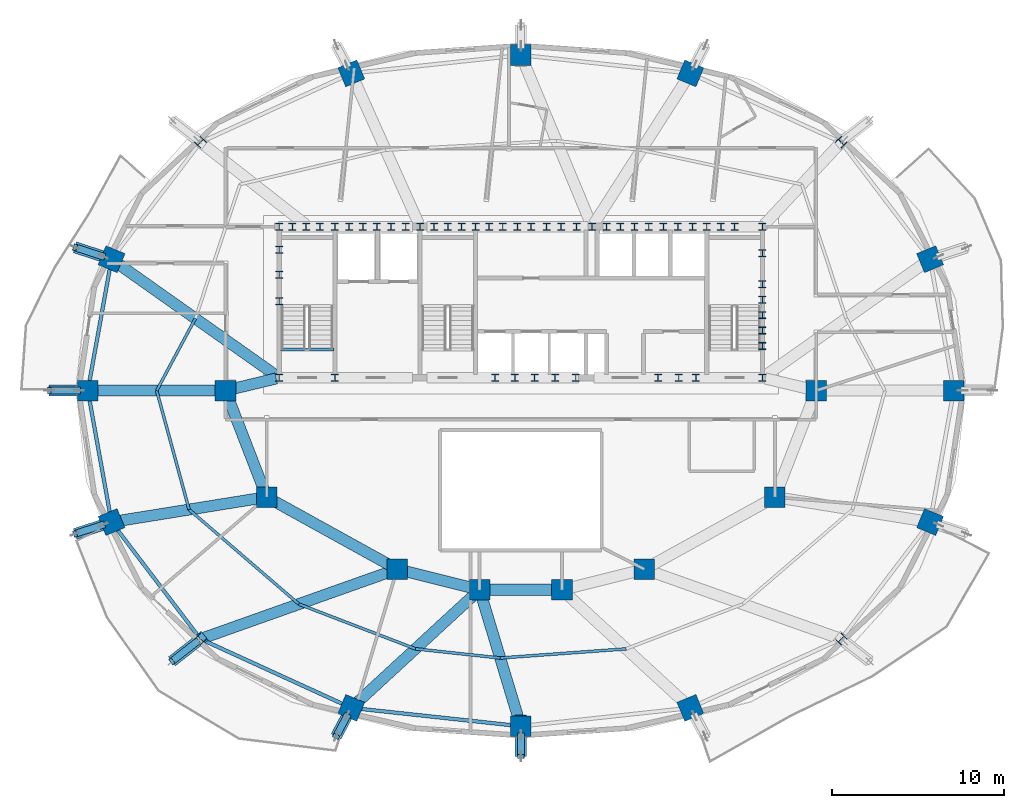
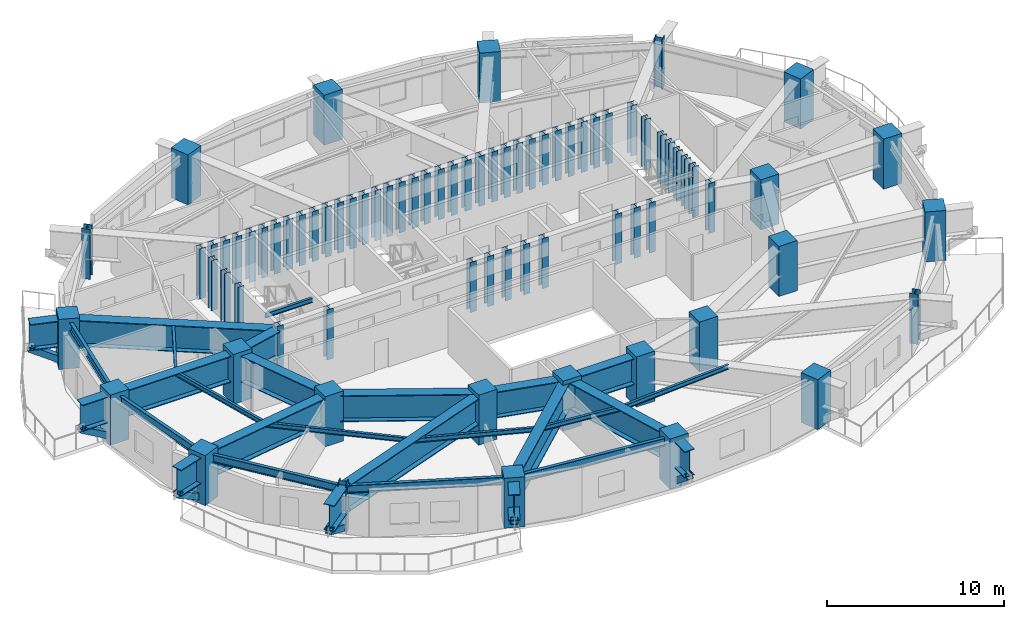
# One storey, part 1 of 14: 78 columns, 29 beams, 6 members.
"""IFC4 building model written with IfcOpenShell, lengths in metres."""

from ifc_helpers import new_model, si_unit, direction, frame, origin, origin_2d, place, context, subcontext, project, spatial, rectangle, hollow_rectangle, i_section, extrude, material, material_profile, profile_set, type_object, element, save


model = new_model("IFC4")

# Units and contexts
model_context = context("Model", 3, precision=1e-05, world=origin(), true_north=direction((0.0, 1.0)))
body_context = subcontext(model_context, "Body", "Model", "MODEL_VIEW")
ifc_project = project(units=[si_unit("LENGTHUNIT", "METRE"), si_unit("AREAUNIT", "SQUARE_METRE"), si_unit("VOLUMEUNIT", "CUBIC_METRE"), si_unit("PLANEANGLEUNIT", "RADIAN"), si_unit("MASSUNIT", "GRAM", prefix="KILO")], contexts=[model_context])

# Site, building, storey
site_placement = place(None, origin())
site = spatial("IfcSite", under=ifc_project, at=site_placement, CompositionType="ELEMENT")
building_placement = place(site_placement, origin())
building = spatial("IfcBuilding", under=site, at=building_placement, Name="Haldorwick Loom Tower", CompositionType="ELEMENT")
storey_placement = place(building_placement, frame((0.0, 0.0, 182.050048828125)))
storey = spatial("IfcBuildingStorey", under=building, at=storey_placement, Name="L49", CompositionType="ELEMENT", Elevation=182.050048828125)

# Columns
ifc_material_1 = material(Name="Concrete C60 (60 MPa)", Category="concrete")
ifc_material_profile_1 = material_profile(ifc_material_1, rectangle(XDim=1.199951171875, YDim=1.199951171875, at=origin_2d()), Name="RC1200X1200", Category="concrete")
ifc_profile_set_1 = profile_set([ifc_material_profile_1], Name="Concrete C60 (60 MPa)")
column_type_1 = type_object("IfcColumnType", Name="STR-COL-RC1200", PredefinedType="COLUMN", material=ifc_profile_set_1)
for number, where, z_axis, x_axis, name in (
    (1, (53.199951171875, 26.0, 0.0), (0.0, 0.0, 1.0), (1.0, 0.0, 0.0), "L49 Inner Column IC-01"),
    (2, (50.800048828125, 19.800048828125, 0.0), (0.0, 0.0, 1.0), (1.0, 0.0, 0.0), "L49 Inner Column IC-02"),
    (3, (43.199951171875, 15.60009765625, 0.0), (0.0, 0.0, 1.0), (1.0, 0.0, 0.0), "L49 Inner Column IC-03"),
    (4, (38.39990234375, 14.39990234375, 0.0), (0.0, 0.0, 1.0), (1.0, 0.0, 0.0), "L49 Inner Column IC-04"),
    (5, (33.60009765625, 14.39990234375, 0.0), (0.0, 0.0, 1.0), (1.0, 0.0, 0.0), "L49 Inner Column IC-05"),
    (6, (28.800048828125, 15.60009765625, 0.0), (0.0, 0.0, 1.0), (1.0, 0.0, 0.0), "L49 Inner Column IC-06"),
    (7, (21.199951171875, 19.800048828125, 0.0), (0.0, 0.0, 1.0), (1.0, 0.0, 0.0), "L49 Inner Column IC-07"),
    (8, (18.800048828125, 26.0, 0.0), (0.0, 0.0, 1.0), (1.0, 0.0, 0.0), "L49 Inner Column IC-08"),
    (9, (61.217041015625, 26.0, 0.0), (0.0, 0.0, 1.0), (1.0, 0.0, 0.0), "L49 Perimeter Pier Column P01"),
    (10, (59.836181640625, 33.65380859375, 0.0), (0.0, 0.0, 1.0), (0.923879532511, 0.382683432365, 0.0), "L49 Perimeter Pier Column P02"),
    (11, (45.873291015625, 44.4775390625, 0.0), (0.0, 0.0, 1.0), (0.382683432365, 0.923879532511, 0.0), "L49 Perimeter Pier Column P04"),
    (12, (36.0, 45.544677734375, 0.0), (0.0, 0.0, 1.0), (0.0, 1.0, 0.0), "L49 Perimeter Pier Column P05"),
    (13, (26.126708984375, 44.4775390625, 0.0), (0.0, 0.0, 1.0), (-0.382683432365, 0.923879532511, 0.0), "L49 Perimeter Pier Column P06"),
    (14, (12.163818359375, 33.65380859375, 0.0), (0.0, 0.0, 1.0), (-0.923879532511, 0.382683432365, 0.0), "L49 Perimeter Pier Column P08"),
    (15, (10.782958984375, 26.0, 0.0), (0.0, 0.0, 1.0), (-1.0, 0.0, 0.0), "L49 Perimeter Pier Column P09"),
    (16, (12.163818359375, 18.34619140625, 0.0), (0.0, 0.0, 1.0), (-0.923879532511, -0.382683432365, 0.0), "L49 Perimeter Pier Column P10"),
    (17, (26.126708984375, 7.5224609375, 0.0), (0.0, 0.0, 1.0), (-0.382683432365, -0.923879532511, 0.0), "L49 Perimeter Pier Column P12"),
    (18, (36.0, 6.455322265625, 0.0), (0.0, 0.0, 1.0), (0.0, -1.0, 0.0), "L49 Perimeter Pier Column P13"),
    (19, (45.873291015625, 7.5224609375, 0.0), (0.0, 0.0, 1.0), (0.382683432365, -0.923879532511, 0.0), "L49 Perimeter Pier Column P14"),
    (20, (59.836181640625, 18.34619140625, 0.0), (0.0, 0.0, 1.0), (0.923879532511, -0.382683432365, 0.0), "L49 Perimeter Pier Column P16"),
):
    element("IfcColumn", number, at=place(storey_placement, frame(where, z_axis=z_axis, x_axis=x_axis)), inside=storey, type_object=column_type_1, Name=name, PredefinedType="COLUMN", context=body_context, shape_type="SweptSolid", body=[
        extrude(rectangle(XDim=1.199951171875, YDim=1.199951171875, at=origin_2d()), origin(), (0.0, 0.0, 1.0), 3.449951171875),
    ])
ifc_material_2 = material(Name="Steel CSA G40.21 350W", Category="steel")
ifc_material_profile_2 = material_profile(ifc_material_2, i_section(OverallWidth=0.406005859375, OverallDepth=0.416015625, WebThickness=0.024169921875, FlangeThickness=0.03857421875, at=origin_2d()), Name="W360X382", Category="steel")
ifc_profile_set_2 = profile_set([ifc_material_profile_2], Name="Steel CSA G40.21 350W")
column_type_2 = type_object("IfcColumnType", Name="STR-COL-W360X382", PredefinedType="COLUMN", material=ifc_profile_set_2)
for number, where, z_axis, x_axis, name in (
    (21, (21.929931640625, 35.550048828125, 0.0), (0.0, 0.0, 1.0), (1.0, 0.0, 0.0), "L49 Core Pilaster CB-01"),
    (22, (23.5, 35.550048828125, 0.0), (0.0, 0.0, 1.0), (1.0, 0.0, 0.0), "L49 Core Pilaster CB-02"),
    (23, (25.169921875, 35.550048828125, 0.0), (0.0, 0.0, 1.0), (1.0, 0.0, 0.0), "L49 Core Pilaster CB-03"),
    (24, (26.800048828125, 35.550048828125, 0.0), (0.0, 0.0, 1.0), (1.0, 0.0, 0.0), "L49 Core Pilaster CB-04"),
    (25, (28.449951171875, 35.550048828125, 0.0), (0.0, 0.0, 1.0), (1.0, 0.0, 0.0), "L49 Core Pilaster CB-05"),
    (26, (30.1298828125, 35.550048828125, 0.0), (0.0, 0.0, 1.0), (1.0, 0.0, 0.0), "L49 Core Pilaster CB-06"),
    (27, (31.75, 35.550048828125, 0.0), (0.0, 0.0, 1.0), (1.0, 0.0, 0.0), "L49 Core Pilaster CB-07"),
    (28, (33.3701171875, 35.550048828125, 0.0), (0.0, 0.0, 1.0), (1.0, 0.0, 0.0), "L49 Core Pilaster CB-08"),
    (29, (34.949951171875, 35.550048828125, 0.0), (0.0, 0.0, 1.0), (1.0, 0.0, 0.0), "L49 Core Pilaster CB-09"),
    (30, (36.60009765625, 35.550048828125, 0.0), (0.0, 0.0, 1.0), (1.0, 0.0, 0.0), "L49 Core Pilaster CB-10"),
    (31, (38.35009765625, 35.550048828125, 0.0), (0.0, 0.0, 1.0), (1.0, 0.0, 0.0), "L49 Core Pilaster CB-11"),
    (32, (40.14990234375, 35.550048828125, 0.0), (0.0, 0.0, 1.0), (1.0, 0.0, 0.0), "L49 Core Pilaster CB-12"),
    (33, (41.800048828125, 35.550048828125, 0.0), (0.0, 0.0, 1.0), (1.0, 0.0, 0.0), "L49 Core Pilaster CB-13"),
    (34, (43.449951171875, 35.550048828125, 0.0), (0.0, 0.0, 1.0), (1.0, 0.0, 0.0), "L49 Core Pilaster CB-14"),
    (35, (45.14990234375, 35.550048828125, 0.0), (0.0, 0.0, 1.0), (1.0, 0.0, 0.0), "L49 Core Pilaster CB-15"),
    (36, (46.830078125, 35.550048828125, 0.0), (0.0, 0.0, 1.0), (1.0, 0.0, 0.0), "L49 Core Pilaster CB-16"),
    (37, (48.449951171875, 35.550048828125, 0.0), (0.0, 0.0, 1.0), (1.0, 0.0, 0.0), "L49 Core Pilaster CB-17"),
    (38, (50.070068359375, 35.550048828125, 0.0), (0.0, 0.0, 1.0), (1.0, 0.0, 0.0), "L49 Core Pilaster CB-18"),
    (39, (21.929931640625, 26.75, 0.0), (0.0, 0.0, 1.0), (1.0, 0.0, 0.0), "L49 Core Pilaster CB-19"),
    (40, (25.169921875, 26.75, 0.0), (0.0, 0.0, 1.0), (1.0, 0.0, 0.0), "L49 Core Pilaster CB-20"),
    (41, (34.5, 26.75, 0.0), (0.0, 0.0, 1.0), (1.0, 0.0, 0.0), "L49 Core Pilaster CB-21"),
    (42, (36.800048828125, 26.75, 0.0), (0.0, 0.0, 1.0), (1.0, 0.0, 0.0), "L49 Core Pilaster CB-22"),
    (43, (39.199951171875, 26.75, 0.0), (0.0, 0.0, 1.0), (1.0, 0.0, 0.0), "L49 Core Pilaster CB-23"),
    (44, (45.199951171875, 26.75, 0.0), (0.0, 0.0, 1.0), (1.0, 0.0, 0.0), "L49 Core Pilaster CB-24"),
    (45, (50.070068359375, 26.75, 0.0), (0.0, 0.0, 1.0), (1.0, 0.0, 0.0), "L49 Core Pilaster CB-25"),
    (46, (21.929931640625, 31.199951171875, 0.0), (0.0, 0.0, 1.0), (1.0, 0.0, 0.0), "L49 Core Pilaster CB-26"),
    (47, (21.929931640625, 32.75, 0.0), (0.0, 0.0, 1.0), (1.0, 0.0, 0.0), "L49 Core Pilaster CB-27"),
    (48, (21.929931640625, 34.199951171875, 0.0), (0.0, 0.0, 1.0), (1.0, 0.0, 0.0), "L49 Core Pilaster CB-28"),
    (49, (50.070068359375, 28.60009765625, 0.0), (0.0, 0.0, 1.0), (1.0, 0.0, 0.0), "L49 Core Pilaster CB-29"),
    (50, (50.070068359375, 30.39990234375, 0.0), (0.0, 0.0, 1.0), (1.0, 0.0, 0.0), "L49 Core Pilaster CB-30"),
    (51, (50.070068359375, 32.199951171875, 0.0), (0.0, 0.0, 1.0), (1.0, 0.0, 0.0), "L49 Core Pilaster CB-31"),
    (52, (50.070068359375, 34.0, 0.0), (0.0, 0.0, 1.0), (1.0, 0.0, 0.0), "L49 Core Pilaster CB-32"),
    (53, (22.699951171875, 35.550048828125, 0.0), (0.0, 0.0, 1.0), (1.0, 0.0, 0.0), "L49 Core Pilaster CB-33"),
    (54, (27.6201171875, 35.550048828125, 0.0), (0.0, 0.0, 1.0), (1.0, 0.0, 0.0), "L49 Core Pilaster CB-34"),
    (55, (32.550048828125, 35.550048828125, 0.0), (0.0, 0.0, 1.0), (1.0, 0.0, 0.0), "L49 Core Pilaster CB-35"),
    (56, (37.5, 35.550048828125, 0.0), (0.0, 0.0, 1.0), (1.0, 0.0, 0.0), "L49 Core Pilaster CB-36"),
    (57, (42.6201171875, 35.550048828125, 0.0), (0.0, 0.0, 1.0), (1.0, 0.0, 0.0), "L49 Core Pilaster CB-37"),
    (58, (47.64990234375, 35.550048828125, 0.0), (0.0, 0.0, 1.0), (1.0, 0.0, 0.0), "L49 Core Pilaster CB-38"),
    (59, (24.300048828125, 35.550048828125, 0.0), (0.0, 0.0, 1.0), (1.0, 0.0, 0.0), "L49 Core Pilaster CB-39"),
    (60, (26.0, 35.550048828125, 0.0), (0.0, 0.0, 1.0), (1.0, 0.0, 0.0), "L49 Core Pilaster CB-40"),
    (61, (29.300048828125, 35.550048828125, 0.0), (0.0, 0.0, 1.0), (1.0, 0.0, 0.0), "L49 Core Pilaster CB-41"),
    (62, (30.949951171875, 35.550048828125, 0.0), (0.0, 0.0, 1.0), (1.0, 0.0, 0.0), "L49 Core Pilaster CB-42"),
    (63, (34.14990234375, 35.550048828125, 0.0), (0.0, 0.0, 1.0), (1.0, 0.0, 0.0), "L49 Core Pilaster CB-43"),
    (64, (35.800048828125, 35.550048828125, 0.0), (0.0, 0.0, 1.0), (1.0, 0.0, 0.0), "L49 Core Pilaster CB-44"),
    (65, (39.25, 35.550048828125, 0.0), (0.0, 0.0, 1.0), (1.0, 0.0, 0.0), "L49 Core Pilaster CB-45"),
    (66, (41.0, 35.550048828125, 0.0), (0.0, 0.0, 1.0), (1.0, 0.0, 0.0), "L49 Core Pilaster CB-46"),
    (67, (44.300048828125, 35.550048828125, 0.0), (0.0, 0.0, 1.0), (1.0, 0.0, 0.0), "L49 Core Pilaster CB-47"),
    (68, (46.0, 35.550048828125, 0.0), (0.0, 0.0, 1.0), (1.0, 0.0, 0.0), "L49 Core Pilaster CB-48"),
    (69, (50.070068359375, 29.5, 0.0), (0.0, 0.0, 1.0), (1.0, 0.0, 0.0), "L49 Core Pilaster CB-49"),
    (70, (50.070068359375, 31.300048828125, 0.0), (0.0, 0.0, 1.0), (1.0, 0.0, 0.0), "L49 Core Pilaster CB-50"),
    (71, (35.64990234375, 26.75, 0.0), (0.0, 0.0, 1.0), (1.0, 0.0, 0.0), "L49 Core Pilaster CB-51"),
    (72, (38.0, 26.75, 0.0), (0.0, 0.0, 1.0), (1.0, 0.0, 0.0), "L49 Core Pilaster CB-52"),
    (73, (44.0, 26.75, 0.0), (0.0, 0.0, 1.0), (1.0, 0.0, 0.0), "L49 Core Pilaster CB-53"),
    (74, (46.199951171875, 26.75, 0.0), (0.0, 0.0, 1.0), (1.0, 0.0, 0.0), "L49 Core Pilaster CB-54"),
):
    element("IfcColumn", number, at=place(storey_placement, frame(where, z_axis=z_axis, x_axis=x_axis)), inside=storey, type_object=column_type_2, Name=name, PredefinedType="COLUMN", context=body_context, shape_type="SweptSolid", body=[
        extrude(i_section(OverallWidth=0.406005859375, OverallDepth=0.416015625, WebThickness=0.024169921875, FlangeThickness=0.03857421875, at=origin_2d()), origin(), (0.0, 0.0, 1.0), 3.449951171875),
    ])
ifc_material_3 = material(Name="Steel CSA G40.21 350WT", Category="steel")
ifc_material_profile_3 = material_profile(ifc_material_3, i_section(OverallWidth=0.5, OverallDepth=0.5, WebThickness=0.02197265625, FlangeThickness=0.031982421875, at=origin_2d()), Name="WWF500X500", Category="steel")
ifc_profile_set_3 = profile_set([ifc_material_profile_3], Name="Steel CSA G40.21 350WT")
column_type_3 = type_object("IfcColumnType", Name="STR-COL-WWF500", PredefinedType="COLUMN", material=ifc_profile_set_3)
for number, where, z_axis, x_axis, name in (
    (75, (54.655517578125, 40.464111328125, 0.0), (0.0, 0.0, 1.0), (0.707106781187, 0.707106781187, 0.0), "L49 Perimeter Pier Column P03"),
    (76, (17.344482421875, 40.464111328125, 0.0), (0.0, 0.0, 1.0), (-0.707106781187, 0.707106781187, 0.0), "L49 Perimeter Pier Column P07"),
    (77, (17.344482421875, 11.535888671875, 0.0), (0.0, 0.0, 1.0), (-0.707106781187, -0.707106781187, 0.0), "L49 Perimeter Pier Column P11"),
    (78, (54.655517578125, 11.535888671875, 0.0), (0.0, 0.0, 1.0), (0.707106781187, -0.707106781187, 0.0), "L49 Perimeter Pier Column P15"),
):
    element("IfcColumn", number, at=place(storey_placement, frame(where, z_axis=z_axis, x_axis=x_axis)), inside=storey, type_object=column_type_3, Name=name, PredefinedType="COLUMN", context=body_context, shape_type="SweptSolid", body=[
        extrude(i_section(OverallWidth=0.5, OverallDepth=0.5, WebThickness=0.02197265625, FlangeThickness=0.031982421875, at=origin_2d()), origin(), (0.0, 0.0, 1.0), 3.449951171875),
    ])

# Beams
ifc_material_profile_4 = material_profile(ifc_material_2, i_section(OverallWidth=0.166015625, OverallDepth=0.31298828125, WebThickness=0.006591796875, FlangeThickness=0.01123046875, at=origin_2d()), Name="W310X45", Category="steel")
ifc_profile_set_4 = profile_set([ifc_material_profile_4], Name="Steel CSA G40.21 350W")
beam_type_1 = type_object("IfcBeamType", Name="STR-BM-J310", PredefinedType="JOIST", material=ifc_profile_set_4)
beam_1_placement = place(storey_placement, frame((17.046875, 30.201904296875, 3.013427734375), z_axis=(-0.472930162238, -0.881099915813, 0.0), x_axis=(0.881099915813, -0.472930162238, 0.0)))
element("IfcBeam", 79, at=beam_1_placement, inside=storey, type_object=beam_type_1, Name="L49 Mid-Bay Secondary Joist 8", PredefinedType="JOIST", context=body_context, shape_type="SweptSolid", body=[
    extrude(i_section(OverallWidth=0.166015625, OverallDepth=0.31298828125, WebThickness=0.006591796875, FlangeThickness=0.01123046875, at=origin_2d()), origin(), (0.0, 0.0, 1.0), 4.76904296875),
])
beam_2_placement = place(storey_placement, frame((14.79150390625, 26.0, 3.013427734375), z_axis=(0.263272762578, -0.964721437766, 0.0), x_axis=(0.964721437766, 0.263272762578, 0.0)))
element("IfcBeam", 80, at=beam_2_placement, inside=storey, type_object=beam_type_1, Name="L49 Mid-Bay Secondary Joist 9", PredefinedType="JOIST", context=body_context, shape_type="SweptSolid", body=[
    extrude(i_section(OverallWidth=0.166015625, OverallDepth=0.31298828125, WebThickness=0.006591796875, FlangeThickness=0.01123046875, at=origin_2d()), origin(), (0.0, 0.0, 1.0), 7.180419921875),
])
beam_3_placement = place(storey_placement, frame((16.681884765625, 19.072998046875, 3.013427734375), z_axis=(0.75763401328, -0.652679631918, 0.0), x_axis=(0.652679631918, 0.75763401328, 0.0)))
element("IfcBeam", 81, at=beam_3_placement, inside=storey, type_object=beam_type_1, Name="L49 Mid-Bay Secondary Joist 10", PredefinedType="JOIST", context=body_context, shape_type="SweptSolid", body=[
    extrude(i_section(OverallWidth=0.166015625, OverallDepth=0.31298828125, WebThickness=0.006591796875, FlangeThickness=0.01123046875, at=origin_2d()), origin(), (0.0, 0.0, 1.0), 8.4345703125),
])
beam_4_placement = place(storey_placement, frame((23.072265625, 13.56787109375, 3.013427734375), z_axis=(0.933586737031, -0.358351509609, 0.0), x_axis=(0.358351509609, 0.933586737031, 0.0)))
element("IfcBeam", 82, at=beam_4_placement, inside=storey, type_object=beam_type_1, Name="L49 Mid-Bay Secondary Joist 11", PredefinedType="JOIST", context=body_context, shape_type="SweptSolid", body=[
    extrude(i_section(OverallWidth=0.166015625, OverallDepth=0.31298828125, WebThickness=0.006591796875, FlangeThickness=0.01123046875, at=origin_2d()), origin(), (0.0, 0.0, 1.0), 7.274169921875),
])
beam_5_placement = place(storey_placement, frame((29.86328125, 10.961181640625, 3.013427734375), z_axis=(0.994212584227, -0.107430616514, 0.0), x_axis=(0.107430616514, 0.994212584227, 0.0)))
element("IfcBeam", 83, at=beam_5_placement, inside=storey, type_object=beam_type_1, Name="L49 Mid-Bay Secondary Joist 12", PredefinedType="JOIST", context=body_context, shape_type="SweptSolid", body=[
    extrude(i_section(OverallWidth=0.166015625, OverallDepth=0.31298828125, WebThickness=0.006591796875, FlangeThickness=0.01123046875, at=origin_2d()), origin(), (0.0, 0.0, 1.0), 4.965576171875),
])
beam_6_placement = place(storey_placement, frame((34.800048828125, 10.427734375, 3.013427734375), z_axis=(0.997367082818, 0.072518288109, 0.0), x_axis=(-0.072518288109, 0.997367082818, 0.0)))
element("IfcBeam", 84, at=beam_6_placement, inside=storey, type_object=beam_type_1, Name="L49 Mid-Bay Secondary Joist 13", PredefinedType="JOIST", context=body_context, shape_type="SweptSolid", body=[
    extrude(i_section(OverallWidth=0.166015625, OverallDepth=0.31298828125, WebThickness=0.006591796875, FlangeThickness=0.01123046875, at=origin_2d()), origin(), (0.0, 0.0, 1.0), 7.35595703125),
])
ifc_material_profile_5 = material_profile(ifc_material_2, i_section(OverallWidth=0.2119140625, OverallDepth=0.5439453125, WebThickness=0.01318359375, FlangeThickness=0.021240234375, at=origin_2d()), Name="W530X123", Category="steel")
ifc_profile_set_5 = profile_set([ifc_material_profile_5], Name="Steel CSA G40.21 350W")
beam_type_2 = type_object("IfcBeamType", Name="STR-BM-SP530", PredefinedType="SPANDREL", material=ifc_profile_set_5)
for number, where, z_axis, x_axis, name in (
    (85, (12.071533203125, 33.14208984375, 2.89794921875), (-0.177558730702, -0.984110205796, 0.0), (0.984110205796, -0.177558730702, 0.0), "L49 Perimeter Spandrel 8"),
    (86, (10.875244140625, 25.48828125, 2.89794921875), (0.177558730702, -0.984110205796, 0.0), (0.984110205796, 0.177558730702, 0.0), "L49 Perimeter Spandrel 9"),
):
    element("IfcBeam", number, at=place(storey_placement, frame(where, z_axis=z_axis, x_axis=x_axis)), inside=storey, type_object=beam_type_2, Name=name, PredefinedType="SPANDREL", context=body_context, shape_type="SweptSolid", body=[
        extrude(i_section(OverallWidth=0.2119140625, OverallDepth=0.5439453125, WebThickness=0.01318359375, FlangeThickness=0.021240234375, at=origin_2d()), origin(), (0.0, 0.0, 1.0), 6.737548828125),
    ])
beam_7_placement = place(storey_placement, frame((12.478759765625, 17.932373046875, 2.89794921875), z_axis=(0.605421569293, -0.79590497136, 0.0), x_axis=(0.79590497136, 0.605421569293, 0.0)))
element("IfcBeam", 87, at=beam_7_placement, inside=storey, type_object=beam_type_2, Name="L49 Perimeter Spandrel 10", PredefinedType="SPANDREL", context=body_context, shape_type="SweptSolid", body=[
    extrude(i_section(OverallWidth=0.2119140625, OverallDepth=0.5439453125, WebThickness=0.01318359375, FlangeThickness=0.021240234375, at=origin_2d()), origin(), (0.0, 0.0, 1.0), 7.81201171875),
])
beam_8_placement = place(storey_placement, frame((17.549072265625, 11.4423828125, 2.89794921875), z_axis=(0.909523899848, -0.415651627695, 0.0), x_axis=(0.415651627695, 0.909523899848, 0.0)))
element("IfcBeam", 88, at=beam_8_placement, inside=storey, type_object=beam_type_2, Name="L49 Perimeter Spandrel 11", PredefinedType="SPANDREL", context=body_context, shape_type="SweptSolid", body=[
    extrude(i_section(OverallWidth=0.2119140625, OverallDepth=0.5439453125, WebThickness=0.01318359375, FlangeThickness=0.021240234375, at=origin_2d()), origin(), (0.0, 0.0, 1.0), 8.910888671875),
])
beam_9_placement = place(storey_placement, frame((26.643798828125, 7.466552734375, 2.89794921875), z_axis=(0.994210140187, -0.107453232386, 0.0), x_axis=(0.107453232386, 0.994210140187, 0.0)))
element("IfcBeam", 89, at=beam_9_placement, inside=storey, type_object=beam_type_2, Name="L49 Perimeter Spandrel 12", PredefinedType="SPANDREL", context=body_context, shape_type="SweptSolid", body=[
    extrude(i_section(OverallWidth=0.2119140625, OverallDepth=0.5439453125, WebThickness=0.01318359375, FlangeThickness=0.021240234375, at=origin_2d()), origin(), (0.0, 0.0, 1.0), 8.890625),
])
ifc_material_profile_6 = material_profile(ifc_material_2, i_section(OverallWidth=0.166015625, OverallDepth=0.31298828125, WebThickness=0.006591796875, FlangeThickness=0.01123046875, at=origin_2d()), Name="W310X45", Category="steel")
ifc_profile_set_6 = profile_set([ifc_material_profile_6], Name="Steel CSA G40.21 350W")
beam_type_3 = type_object("IfcBeamType", Name="STR-BM-STRM", PredefinedType="BEAM", material=ifc_profile_set_6)
beam_10_placement = place(storey_placement, frame((21.989990234375, 28.39990234375, 3.013427734375), z_axis=(1.0, 0.0, 0.0), x_axis=(0.0, 1.0, 0.0)))
element("IfcBeam", 90, at=beam_10_placement, inside=storey, type_object=beam_type_3, Name="L49 Stair ST-01 Landing Edge Trimmer", PredefinedType="BEAM", context=body_context, shape_type="SweptSolid", body=[
    extrude(i_section(OverallWidth=0.166015625, OverallDepth=0.31298828125, WebThickness=0.006591796875, FlangeThickness=0.01123046875, at=origin_2d()), origin(), (0.0, 0.0, 1.0), 3.1201171875),
])
ifc_material_profile_7 = material_profile(ifc_material_3, i_section(OverallWidth=0.64990234375, OverallDepth=1.800048828125, WebThickness=0.02587890625, FlangeThickness=0.048095703125, at=origin_2d()), Name="WWF1800X650", Category="steel")
ifc_profile_set_7 = profile_set([ifc_material_profile_7], Name="Steel CSA G40.21 350WT")
beam_type_4 = type_object("IfcBeamType", Name="STR-BM-TG1800", PredefinedType="BEAM", material=ifc_profile_set_7)
beam_11_placement = place(storey_placement, frame((37.8798828125, 14.39990234375, 2.27001953125), z_axis=(-1.0, 0.0, 0.0), x_axis=(0.0, -1.0, 0.0)))
element("IfcBeam", 91, at=beam_11_placement, inside=storey, type_object=beam_type_4, Name="L49 Inner Ring Girder 5", PredefinedType="BEAM", context=body_context, shape_type="SweptSolid", body=[
    extrude(i_section(OverallWidth=0.64990234375, OverallDepth=1.800048828125, WebThickness=0.02587890625, FlangeThickness=0.048095703125, at=origin_2d()), origin(), (0.0, 0.0, 1.0), 3.759765625),
])
beam_12_placement = place(storey_placement, frame((33.095458984375, 14.526123046875, 2.27001953125), z_axis=(-0.970142500145, 0.242535625036, 0.0), x_axis=(-0.242535625036, -0.970142500145, 0.0)))
element("IfcBeam", 92, at=beam_12_placement, inside=storey, type_object=beam_type_4, Name="L49 Inner Ring Girder 6", PredefinedType="BEAM", context=body_context, shape_type="SweptSolid", body=[
    extrude(i_section(OverallWidth=0.64990234375, OverallDepth=1.800048828125, WebThickness=0.02587890625, FlangeThickness=0.048095703125, at=origin_2d()), origin(), (0.0, 0.0, 1.0), 3.90771484375),
])
beam_13_placement = place(storey_placement, frame((28.344970703125, 15.8515625, 2.27001953125), z_axis=(-0.875244382146, 0.483680960471, 0.0), x_axis=(-0.483680960471, -0.875244382146, 0.0)))
element("IfcBeam", 93, at=beam_13_placement, inside=storey, type_object=beam_type_4, Name="L49 Inner Ring Girder 7", PredefinedType="BEAM", context=body_context, shape_type="SweptSolid", body=[
    extrude(i_section(OverallWidth=0.64990234375, OverallDepth=1.800048828125, WebThickness=0.02587890625, FlangeThickness=0.048095703125, at=origin_2d()), origin(), (0.0, 0.0, 1.0), 7.6435546875),
])
beam_14_placement = place(storey_placement, frame((21.01220703125, 20.284912109375, 2.27001953125), z_axis=(-0.360964792353, 0.93257944363, 0.0), x_axis=(-0.93257944363, -0.360964792353, 0.0)))
element("IfcBeam", 94, at=beam_14_placement, inside=storey, type_object=beam_type_4, Name="L49 Inner Ring Girder 8", PredefinedType="BEAM", context=body_context, shape_type="SweptSolid", body=[
    extrude(i_section(OverallWidth=0.64990234375, OverallDepth=1.800048828125, WebThickness=0.02587890625, FlangeThickness=0.048095703125, at=origin_2d()), origin(), (0.0, 0.0, 1.0), 5.6083984375),
])
beam_15_placement = place(storey_placement, frame((19.3056640625, 26.12109375, 2.27001953125), z_axis=(0.97246637463, 0.233043236789, 0.0), x_axis=(-0.233043236789, 0.97246637463, 0.0)))
element("IfcBeam", 95, at=beam_15_placement, inside=storey, type_object=beam_type_4, Name="L49 Inner Ring Girder 9", PredefinedType="BEAM", context=body_context, shape_type="SweptSolid", body=[
    extrude(i_section(OverallWidth=0.64990234375, OverallDepth=1.800048828125, WebThickness=0.02587890625, FlangeThickness=0.048095703125, at=origin_2d()), origin(), (0.0, 0.0, 1.0), 2.5205078125),
])
beam_16_placement = place(storey_placement, frame((21.78466796875, 26.852783203125, 2.27001953125), z_axis=(-0.81657429865, 0.577240344038, 0.0), x_axis=(-0.577240344038, -0.81657429865, 0.0)))
element("IfcBeam", 96, at=beam_16_placement, inside=storey, type_object=beam_type_4, Name="L49 Waist Flare Inner Transfer Girder 8", PredefinedType="BEAM", context=body_context, shape_type="SweptSolid", body=[
    extrude(i_section(OverallWidth=0.64990234375, OverallDepth=1.800048828125, WebThickness=0.02587890625, FlangeThickness=0.048095703125, at=origin_2d()), origin(), (0.0, 0.0, 1.0), 11.781982421875),
])
beam_17_placement = place(storey_placement, frame((12.341064453125, 33.59619140625, 2.27001953125), z_axis=(-0.95125402006, 0.308408478028, 0.0), x_axis=(-0.308408478028, -0.95125402006, 0.0)))
element("IfcBeam", 97, at=beam_17_placement, inside=storey, type_object=beam_type_4, Name="L49 Waist Flare Cantilever Transfer Girder 8", PredefinedType="BEAM", context=body_context, shape_type="SweptSolid", body=[
    extrude(i_section(OverallWidth=0.64990234375, OverallDepth=1.800048828125, WebThickness=0.02587890625, FlangeThickness=0.048095703125, at=origin_2d()), origin(), (0.0, 0.0, 1.0), 2.419921875),
])
beam_18_placement = place(storey_placement, frame((18.280029296875, 26.0, 2.27001953125), z_axis=(-1.0, 0.0, 0.0), x_axis=(0.0, -1.0, 0.0)))
element("IfcBeam", 98, at=beam_18_placement, inside=storey, type_object=beam_type_4, Name="L49 Waist Flare Inner Transfer Girder 9", PredefinedType="BEAM", context=body_context, shape_type="SweptSolid", body=[
    extrude(i_section(OverallWidth=0.64990234375, OverallDepth=1.800048828125, WebThickness=0.02587890625, FlangeThickness=0.048095703125, at=origin_2d()), origin(), (0.0, 0.0, 1.0), 7.4970703125),
])
beam_19_placement = place(storey_placement, frame((10.95361328125, 26.0, 2.27001953125), z_axis=(-1.0, 0.0, 0.0), x_axis=(0.0, -1.0, 0.0)))
element("IfcBeam", 99, at=beam_19_placement, inside=storey, type_object=beam_type_4, Name="L49 Waist Flare Cantilever Transfer Girder 9", PredefinedType="BEAM", context=body_context, shape_type="SweptSolid", body=[
    extrude(i_section(OverallWidth=0.64990234375, OverallDepth=1.800048828125, WebThickness=0.02587890625, FlangeThickness=0.048095703125, at=origin_2d()), origin(), (0.0, 0.0, 1.0), 2.419921875),
])
beam_20_placement = place(storey_placement, frame((20.6865234375, 19.71728515625, 2.27001953125), z_axis=(-0.98730543519, -0.158833175514, 0.0), x_axis=(0.158833175514, -0.98730543519, 0.0)))
element("IfcBeam", 100, at=beam_20_placement, inside=storey, type_object=beam_type_4, Name="L49 Waist Flare Inner Transfer Girder 10", PredefinedType="BEAM", context=body_context, shape_type="SweptSolid", body=[
    extrude(i_section(OverallWidth=0.64990234375, OverallDepth=1.800048828125, WebThickness=0.02587890625, FlangeThickness=0.048095703125, at=origin_2d()), origin(), (0.0, 0.0, 1.0), 8.63232421875),
])
beam_21_placement = place(storey_placement, frame((12.341064453125, 18.40380859375, 2.27001953125), z_axis=(-0.95125402006, -0.308408478028, 0.0), x_axis=(0.308408478028, -0.95125402006, 0.0)))
element("IfcBeam", 101, at=beam_21_placement, inside=storey, type_object=beam_type_4, Name="L49 Waist Flare Cantilever Transfer Girder 10", PredefinedType="BEAM", context=body_context, shape_type="SweptSolid", body=[
    extrude(i_section(OverallWidth=0.64990234375, OverallDepth=1.800048828125, WebThickness=0.02587890625, FlangeThickness=0.048095703125, at=origin_2d()), origin(), (0.0, 0.0, 1.0), 2.419921875),
])
beam_22_placement = place(storey_placement, frame((28.309814453125, 15.426025390625, 2.27001953125), z_axis=(-0.942449076055, -0.33434972565, 0.0), x_axis=(0.33434972565, -0.942449076055, 0.0)))
element("IfcBeam", 102, at=beam_22_placement, inside=storey, type_object=beam_type_4, Name="L49 Waist Flare Inner Transfer Girder 11", PredefinedType="BEAM", context=body_context, shape_type="SweptSolid", body=[
    extrude(i_section(OverallWidth=0.64990234375, OverallDepth=1.800048828125, WebThickness=0.02587890625, FlangeThickness=0.048095703125, at=origin_2d()), origin(), (0.0, 0.0, 1.0), 11.635009765625),
])
beam_23_placement = place(storey_placement, frame((17.588134765625, 11.7265625, 2.27001953125), z_axis=(-0.787507129874, -0.61630554143, 0.0), x_axis=(0.61630554143, -0.787507129874, 0.0)))
element("IfcBeam", 103, at=beam_23_placement, inside=storey, type_object=beam_type_4, Name="L49 Waist Flare Cantilever Transfer Girder 11", PredefinedType="BEAM", context=body_context, shape_type="SweptSolid", body=[
    extrude(i_section(OverallWidth=0.64990234375, OverallDepth=1.800048828125, WebThickness=0.02587890625, FlangeThickness=0.048095703125, at=origin_2d()), origin(), (0.0, 0.0, 1.0), 2.419921875),
])
beam_24_placement = place(storey_placement, frame((33.21728515625, 14.0478515625, 2.27001953125), z_axis=(-0.735824456631, -0.677172333327, 0.0), x_axis=(0.677172333327, -0.735824456631, 0.0)))
element("IfcBeam", 104, at=beam_24_placement, inside=storey, type_object=beam_type_4, Name="L49 Waist Flare Inner Transfer Girder 12", PredefinedType="BEAM", context=body_context, shape_type="SweptSolid", body=[
    extrude(i_section(OverallWidth=0.64990234375, OverallDepth=1.800048828125, WebThickness=0.02587890625, FlangeThickness=0.048095703125, at=origin_2d()), origin(), (0.0, 0.0, 1.0), 9.63623046875),
])
beam_25_placement = place(storey_placement, frame((26.378662109375, 7.998291015625, 2.27001953125), z_axis=(-0.46779501444, -0.883836989758, 0.0), x_axis=(0.883836989758, -0.46779501444, 0.0)))
element("IfcBeam", 105, at=beam_25_placement, inside=storey, type_object=beam_type_4, Name="L49 Waist Flare Cantilever Transfer Girder 12", PredefinedType="BEAM", context=body_context, shape_type="SweptSolid", body=[
    extrude(i_section(OverallWidth=0.64990234375, OverallDepth=1.800048828125, WebThickness=0.02587890625, FlangeThickness=0.048095703125, at=origin_2d()), origin(), (0.0, 0.0, 1.0), 2.419921875),
])
beam_26_placement = place(storey_placement, frame((33.75048828125, 13.902099609375, 2.27001953125), z_axis=(0.289172822472, -0.95727690808, 0.0), x_axis=(0.95727690808, 0.289172822472, 0.0)))
element("IfcBeam", 106, at=beam_26_placement, inside=storey, type_object=beam_type_4, Name="L49 Waist Flare Inner Transfer Girder 13", PredefinedType="BEAM", context=body_context, shape_type="SweptSolid", body=[
    extrude(i_section(OverallWidth=0.64990234375, OverallDepth=1.800048828125, WebThickness=0.02587890625, FlangeThickness=0.048095703125, at=origin_2d()), origin(), (0.0, 0.0, 1.0), 7.779052734375),
])
beam_27_placement = place(storey_placement, frame((36.0, 7.114990234375, 2.27001953125), z_axis=(0.0, -1.0, 0.0), x_axis=(1.0, 0.0, 0.0)))
element("IfcBeam", 107, at=beam_27_placement, inside=storey, type_object=beam_type_4, Name="L49 Waist Flare Cantilever Transfer Girder 13", PredefinedType="BEAM", context=body_context, shape_type="SweptSolid", body=[
    extrude(i_section(OverallWidth=0.64990234375, OverallDepth=1.800048828125, WebThickness=0.02587890625, FlangeThickness=0.048095703125, at=origin_2d()), origin(), (0.0, 0.0, 1.0), 2.419921875),
])

# Members
ifc_material_profile_8 = material_profile(ifc_material_2, hollow_rectangle(XDim=0.406494140625, YDim=0.406494140625, WallThickness=0.015869140625, at=origin_2d()), Name="HSS406X406X16", Category="steel")
ifc_profile_set_8 = profile_set([ifc_material_profile_8], Name="Steel CSA G40.21 350W")
member_type = type_object("IfcMemberType", Name="STR-MEM-CH406", PredefinedType="CHORD", material=ifc_profile_set_8)
member_1_placement = place(storey_placement, frame((11.669189453125, 33.81396484375, 0.39990234375), z_axis=(-0.823677343401, 0.267075250631, 0.500226393214), x_axis=(-0.308438502002, -0.951244285388, 0.0)))
element("IfcMember", 108, at=member_1_placement, inside=storey, type_object=member_type, Name="L49 Waist Flare Diagonal Strut 8", PredefinedType="CHORD", context=body_context, shape_type="SweptSolid", body=[
    extrude(hollow_rectangle(XDim=0.406494140625, YDim=0.406494140625, WallThickness=0.015869140625, at=origin_2d()), origin(), (0.0, 0.0, 1.0), 1.97900390625),
])
member_2_placement = place(storey_placement, frame((10.262939453125, 26.0, 0.39990234375), z_axis=(-0.867843241096, 0.0, 0.496838111343), x_axis=(0.0, -1.0, 0.0)))
element("IfcMember", 109, at=member_2_placement, inside=storey, type_object=member_type, Name="L49 Waist Flare Diagonal Strut 9", PredefinedType="CHORD", context=body_context, shape_type="SweptSolid", body=[
    extrude(hollow_rectangle(XDim=0.406494140625, YDim=0.406494140625, WallThickness=0.015869140625, at=origin_2d()), origin(), (0.0, 0.0, 1.0), 1.99267578125),
])
member_3_placement = place(storey_placement, frame((11.669189453125, 18.18603515625, 0.39990234375), z_axis=(-0.823677343401, -0.267075250631, 0.500226393214), x_axis=(0.308438502002, -0.951244285388, 0.0)))
element("IfcMember", 110, at=member_3_placement, inside=storey, type_object=member_type, Name="L49 Waist Flare Diagonal Strut 10", PredefinedType="CHORD", context=body_context, shape_type="SweptSolid", body=[
    extrude(hollow_rectangle(XDim=0.406494140625, YDim=0.406494140625, WallThickness=0.015869140625, at=origin_2d()), origin(), (0.0, 0.0, 1.0), 1.97900390625),
])
member_4_placement = place(storey_placement, frame((17.167236328125, 11.397216796875, 0.39990234375), z_axis=(-0.697234348455, -0.545681601224, 0.464861111967), x_axis=(0.61632222652, -0.787494071785, 0.0)))
element("IfcMember", 111, at=member_4_placement, inside=storey, type_object=member_type, Name="L49 Waist Flare Diagonal Strut 11", PredefinedType="CHORD", context=body_context, shape_type="SweptSolid", body=[
    extrude(hollow_rectangle(XDim=0.406494140625, YDim=0.406494140625, WallThickness=0.015869140625, at=origin_2d()), origin(), (0.0, 0.0, 1.0), 2.129638671875),
])
member_5_placement = place(storey_placement, frame((25.883544921875, 7.062744140625, 0.39990234375), z_axis=(-0.378374530689, -0.714836359435, 0.588083067054), x_axis=(0.883822806797, -0.467821810293, 0.0)))
element("IfcMember", 112, at=member_5_placement, inside=storey, type_object=member_type, Name="L49 Waist Flare Diagonal Strut 12", PredefinedType="CHORD", context=body_context, shape_type="SweptSolid", body=[
    extrude(hollow_rectangle(XDim=0.406494140625, YDim=0.406494140625, WallThickness=0.015869140625, at=origin_2d()), origin(), (0.0, 0.0, 1.0), 1.683349609375),
])
member_6_placement = place(storey_placement, frame((36.0, 5.935302734375, 0.39990234375), z_axis=(0.0, -0.781543779754, 0.623850398996), x_axis=(1.0, 0.0, 0.0)))
element("IfcMember", 113, at=member_6_placement, inside=storey, type_object=member_type, Name="L49 Waist Flare Diagonal Strut 13", PredefinedType="CHORD", context=body_context, shape_type="SweptSolid", body=[
    extrude(hollow_rectangle(XDim=0.406494140625, YDim=0.406494140625, WallThickness=0.015869140625, at=origin_2d()), origin(), (0.0, 0.0, 1.0), 1.5869140625),
])

save(model, "model.ifc")
